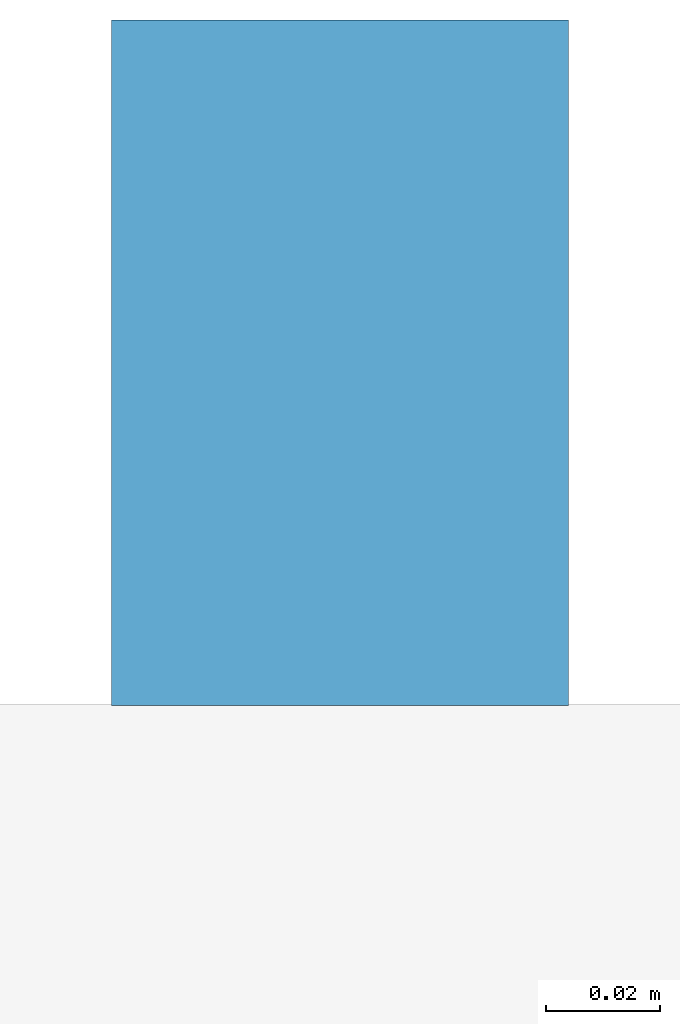
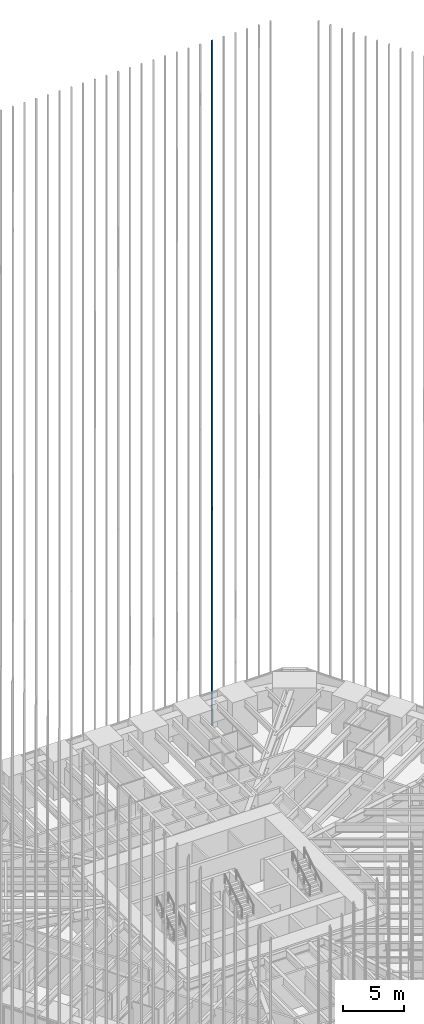
# One storey, part 231 of 256: 1 member, 1 element without a shape of its own.
"""IFC4 building model written with IfcOpenShell, lengths in metres."""

from ifc_helpers import new_model, si_unit, direction, frame, origin, origin_2d, place, context, subcontext, project, spatial, rectangle, extrude, material, material_profile, profile_set, type_object, element, aggregate, save


model = new_model("IFC4")

# Units and contexts
model_context = context("Model", 3, precision=1e-05, world=origin(), true_north=direction((0.0, 1.0)))
body_context = subcontext(model_context, "Body", "Model", "MODEL_VIEW")
ifc_project = project(units=[si_unit("LENGTHUNIT", "METRE"), si_unit("AREAUNIT", "SQUARE_METRE"), si_unit("VOLUMEUNIT", "CUBIC_METRE"), si_unit("PLANEANGLEUNIT", "RADIAN"), si_unit("MASSUNIT", "GRAM", prefix="KILO")], contexts=[model_context])

# Site, building, storey
site_placement = place(None, origin())
site = spatial("IfcSite", under=ifc_project, at=site_placement, CompositionType="ELEMENT")
building_placement = place(site_placement, origin())
building = spatial("IfcBuilding", under=site, at=building_placement, Name="Sandreach Pilgrim Tower", CompositionType="ELEMENT")
storey_placement = place(building_placement, frame((0.0, 0.0, 23.0)))
storey = spatial("IfcBuildingStorey", under=building, at=storey_placement, Name="L04", CompositionType="ELEMENT", Elevation=23.0)

# Curtain wall, member
ifc_material_1 = material(Name="Aluminium framed curtain wall", Category="aluminium")
curtain_wall_type = type_object("IfcCurtainWallType", Name="Hostel tower curtain wall", PredefinedType="NOTDEFINED", material=ifc_material_1)
curtain_wall_placement = place(storey_placement, origin())
curtain_wall = element("IfcCurtainWall", 1, at=curtain_wall_placement, inside=storey, type_object=curtain_wall_type, Name="CW-1 L04 N", PredefinedType="NOTDEFINED")
ifc_material_2 = material(Name="Extruded terracotta on aluminium core", Category="masonry")
ifc_material_profile = material_profile(ifc_material_2, rectangle(XDim=0.080078125, YDim=0.1201171875, at=origin_2d()), Name="TBN 80X120")
ifc_profile_set = profile_set([ifc_material_profile], Name="Extruded terracotta on aluminium core")
member_type = type_object("IfcMemberType", Name="Terracotta baguette north", PredefinedType="USERDEFINED", material=ifc_profile_set)
member_placement = place(storey_placement, frame((13.253173828125, 24.30859375, 0.0), z_axis=(0.0, 0.0, 1.0), x_axis=(1.0, 0.0, 0.0)))
member = element("IfcMember", 2, at=member_placement, type_object=member_type, Name="Baguette Z1 N30", ObjectType="BAGUETTE", PredefinedType="USERDEFINED", context=body_context, shape_type="SweptSolid", body=[
    extrude(rectangle(XDim=0.080078125, YDim=0.1201171875, at=origin_2d()), origin(), (0.0, 0.0, 1.0), 68.239990234375),
])
aggregate(curtain_wall, [member])

save(model, "model.ifc")
